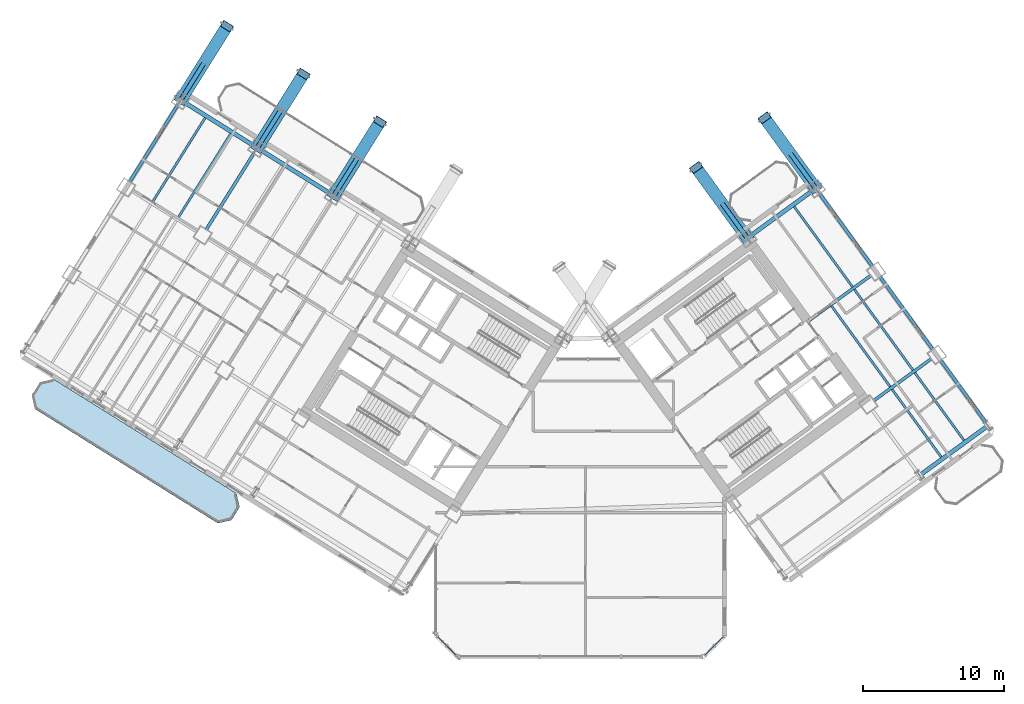
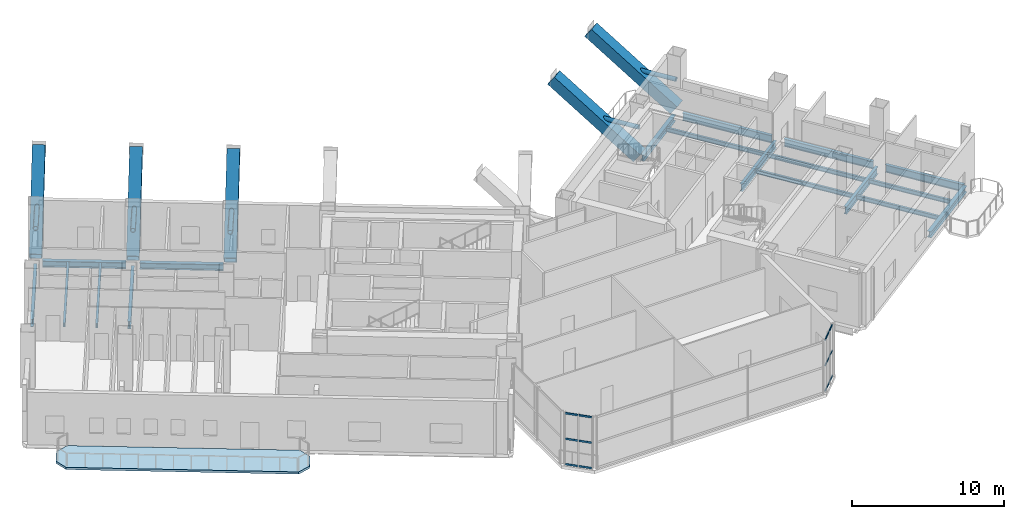
# One storey, part 12 of 30: 22 members, 18 beams, 1 slab, 2 elements without a shape of their own.
"""IFC4 building model written with IfcOpenShell, lengths in metres."""

from ifc_helpers import new_model, si_unit, direction, frame, origin, origin_2d, place, context, subcontext, project, spatial, polyline, hollow_rectangle, hollow_circle, i_section, outline, extrude, source, transform, mapped, material, layer, layer_set, material_profile, profile_set, type_object, element, aggregate, save


model = new_model("IFC4")

# Units and contexts
model_context = context("Model", 3, precision=1e-05, world=origin(), true_north=direction((0.0, 1.0)))
body_context = subcontext(model_context, "Body", "Model", "MODEL_VIEW")
ifc_project = project(units=[si_unit("LENGTHUNIT", "METRE"), si_unit("AREAUNIT", "SQUARE_METRE"), si_unit("VOLUMEUNIT", "CUBIC_METRE"), si_unit("PLANEANGLEUNIT", "RADIAN"), si_unit("MASSUNIT", "GRAM", prefix="KILO")], contexts=[model_context])

# Site, building, storey
site_placement = place(None, origin())
site = spatial("IfcSite", under=ifc_project, at=site_placement, CompositionType="ELEMENT")
building_placement = place(site_placement, origin())
building = spatial("IfcBuilding", under=site, at=building_placement, Name="Tlacorven Tower", CompositionType="ELEMENT")
storey_placement = place(building_placement, frame((0.0, 0.0, 67.199951171875)))
storey = spatial("IfcBuildingStorey", under=building, at=storey_placement, Name="L17", CompositionType="ELEMENT", Elevation=67.199951171875)

# Beams
ifc_material_1 = material(Name="Steel S355J2", Category="steel")
ifc_material_profile_1 = material_profile(ifc_material_1, i_section(OverallWidth=0.300048828125, OverallDepth=0.489990234375, WebThickness=0.011962890625, FlangeThickness=0.02294921875, at=origin_2d()), Name="HEA 500")
ifc_profile_set_1 = profile_set([ifc_material_profile_1], Name="Steel S355J2")
beam_type_1 = type_object("IfcBeamType", Name="BM-SPN-500", PredefinedType="SPANDREL", material=ifc_profile_set_1)
shared_shape_1 = source(origin(), body_context, "Body", "SweptSolid", [
    extrude(i_section(OverallWidth=0.300048828125, OverallDepth=0.489990234375, WebThickness=0.011962890625, FlangeThickness=0.02294921875, at=origin_2d()), origin(), (0.0, 0.0, 1.0), 5.5),
])
for number, where, z_axis, x_axis, name in (
    (1, (24.118896484375, 34.88134765625, -0.494873046875), (-0.848050668838, 0.52991514706, 0.0), (-0.52991514706, -0.848050668838, 0.0), "L17 beam BM-L17-WL1-4"),
    (2, (18.69140625, 38.272705078125, -0.494873046875), (-0.848050668838, 0.52991514706, 0.0), (-0.52991514706, -0.848050668838, 0.0), "L17 beam BM-L17-WL1-5"),
):
    element("IfcBeam", number, at=place(storey_placement, frame(where, z_axis=z_axis, x_axis=x_axis)), inside=storey, type_object=beam_type_1, Name=name, PredefinedType="SPANDREL", context=body_context, shape_type="MappedRepresentation", body=[
        mapped(shared_shape_1, transform((0.0, 0.0, 0.0), scale=1.0)),
    ])
ifc_material_profile_2 = material_profile(ifc_material_1, i_section(OverallWidth=0.219970703125, OverallDepth=0.60009765625, WebThickness=0.011962890625, FlangeThickness=0.01904296875, at=origin_2d()), Name="IPE 600")
ifc_profile_set_2 = profile_set([ifc_material_profile_2], Name="Steel S355J2")
beam_type_2 = type_object("IfcBeamType", Name="BM-TWR-600", PredefinedType="BEAM", material=ifc_profile_set_2)
shared_shape_2 = source(origin(), body_context, "Body", "SweptSolid", [
    extrude(i_section(OverallWidth=0.219970703125, OverallDepth=0.60009765625, WebThickness=0.011962890625, FlangeThickness=0.01904296875, at=origin_2d()), origin(), (0.0, 0.0, 1.0), 5.650146484375),
])
beam_1_placement = place(storey_placement, frame((70.853271484375, 18.41845703125, -0.550048828125), z_axis=(-0.587783675561, 0.809018139935, 0.0), x_axis=(-0.809018139935, -0.587783675561, 0.0)))
element("IfcBeam", 3, at=beam_1_placement, inside=storey, type_object=beam_type_2, Name="L17 beam BM-L17-ET4-1", PredefinedType="BEAM", context=body_context, shape_type="MappedRepresentation", body=[
    mapped(shared_shape_2, transform((0.0, 0.0, 0.0), scale=1.0)),
])
shared_shape_3 = source(origin(), body_context, "Body", "SweptSolid", [
    extrude(i_section(OverallWidth=0.219970703125, OverallDepth=0.60009765625, WebThickness=0.011962890625, FlangeThickness=0.01904296875, at=origin_2d()), origin(), (0.0, 0.0, 1.0), 6.39990234375),
])
for number, where, z_axis, x_axis, name in (
    (4, (67.003173828125, 23.717529296875, -0.550048828125), (-0.587772420479, 0.809026317077, 0.0), (-0.809026317077, -0.587772420479, 0.0), "L17 beam BM-L17-ET4-2"),
    (5, (62.71240234375, 29.62353515625, -0.550048828125), (-0.587815528162, 0.808994996803, 0.0), (-0.808994996803, -0.587815528162, 0.0), "L17 beam BM-L17-ET4-3"),
):
    element("IfcBeam", number, at=place(storey_placement, frame(where, z_axis=z_axis, x_axis=x_axis)), inside=storey, type_object=beam_type_2, Name=name, PredefinedType="BEAM", context=body_context, shape_type="MappedRepresentation", body=[
        mapped(shared_shape_3, transform((0.0, 0.0, 0.0), scale=1.0)),
    ])
shared_shape_4 = source(origin(), body_context, "Body", "SweptSolid", [
    extrude(i_section(OverallWidth=0.219970703125, OverallDepth=0.60009765625, WebThickness=0.011962890625, FlangeThickness=0.01904296875, at=origin_2d()), origin(), (0.0, 0.0, 1.0), 6.400146484375),
])
for number, where, z_axis, x_axis, name in (
    (6, (18.83447265625, 37.652587890625, -0.550048828125), (-0.529933789039, -0.848039019877, 0.0), (0.848039019877, -0.529933789039, 0.0), "L17 beam BM-L17-WT5-1"),
    (7, (13.406982421875, 41.044189453125, -0.550048828125), (-0.529933789039, -0.848039019877, 0.0), (0.848039019877, -0.529933789039, 0.0), "L17 beam BM-L17-WT6-1"),
):
    element("IfcBeam", number, at=place(storey_placement, frame(where, z_axis=z_axis, x_axis=x_axis)), inside=storey, type_object=beam_type_2, Name=name, PredefinedType="BEAM", context=body_context, shape_type="MappedRepresentation", body=[
        mapped(shared_shape_4, transform((0.0, 0.0, 0.0), scale=1.0)),
    ])
ifc_material_profile_3 = material_profile(ifc_material_1, i_section(OverallWidth=0.159912109375, OverallDepth=0.330078125, WebThickness=0.007568359375, FlangeThickness=0.011474609375, at=origin_2d()), Name="IPE 330")
ifc_profile_set_3 = profile_set([ifc_material_profile_3], Name="Steel S355J2")
beam_type_3 = type_object("IfcBeamType", Name="BM-JST-330", PredefinedType="JOIST", material=ifc_profile_set_3)
shared_shape_5 = source(origin(), body_context, "Body", "SweptSolid", [
    extrude(i_section(OverallWidth=0.159912109375, OverallDepth=0.330078125, WebThickness=0.007568359375, FlangeThickness=0.011474609375, at=origin_2d()), origin(), (0.0, 0.0, 1.0), 7.030029296875),
])
for number, where, z_axis, x_axis, name in (
    (8, (17.181640625, 39.033447265625, -0.4150390625), (-0.529911532383, -0.848052927504, 0.0), (0.848052927504, -0.529911532383, 0.0), "L17 beam BM-L17-WJ5-1-1"),
    (9, (15.372314453125, 40.163818359375, -0.4150390625), (-0.529927139185, -0.84804317529, 0.0), (0.84804317529, -0.529927139185, 0.0), "L17 beam BM-L17-WJ5-1-2"),
    (10, (61.291259765625, 28.1767578125, -0.4150390625), (-0.587773097846, 0.809025824958, 0.0), (-0.809025824958, -0.587773097846, 0.0), "L17 beam BM-L17-EJ3-3-2"),
):
    element("IfcBeam", number, at=place(storey_placement, frame(where, z_axis=z_axis, x_axis=x_axis)), inside=storey, type_object=beam_type_3, Name=name, PredefinedType="JOIST", context=body_context, shape_type="MappedRepresentation", body=[
        mapped(shared_shape_5, transform((0.0, 0.0, 0.0), scale=1.0)),
    ])
shared_shape_6 = source(origin(), body_context, "Body", "SweptSolid", [
    extrude(i_section(OverallWidth=0.159912109375, OverallDepth=0.330078125, WebThickness=0.007568359375, FlangeThickness=0.011474609375, at=origin_2d()), origin(), (0.0, 0.0, 1.0), 5.93017578125),
])
for number, where, z_axis, x_axis, name in (
    (11, (67.584716796875, 16.11181640625, -0.4150390625), (-0.587777512947, 0.809022617282, 0.0), (-0.809022617282, -0.587777512947, 0.0), "L17 beam BM-L17-EJ3-1-1"),
    (12, (69.202880859375, 17.287353515625, -0.4150390625), (-0.587777512947, 0.809022617282, 0.0), (-0.809022617282, -0.587777512947, 0.0), "L17 beam BM-L17-EJ3-1-2"),
):
    element("IfcBeam", number, at=place(storey_placement, frame(where, z_axis=z_axis, x_axis=x_axis)), inside=storey, type_object=beam_type_3, Name=name, PredefinedType="JOIST", context=body_context, shape_type="MappedRepresentation", body=[
        mapped(shared_shape_6, transform((0.0, 0.0, 0.0), scale=1.0)),
    ])
shared_shape_7 = source(origin(), body_context, "Body", "SweptSolid", [
    extrude(i_section(OverallWidth=0.159912109375, OverallDepth=0.330078125, WebThickness=0.007568359375, FlangeThickness=0.011474609375, at=origin_2d()), origin(), (0.0, 0.0, 1.0), 7.070068359375),
])
beam_2_placement = place(storey_placement, frame((63.964111328125, 21.095458984375, -0.4150390625), z_axis=(-0.587797946309, 0.80900777148, 0.0), x_axis=(-0.80900777148, -0.587797946309, 0.0)))
element("IfcBeam", 13, at=beam_2_placement, inside=storey, type_object=beam_type_3, Name="L17 beam BM-L17-EJ3-2-1", PredefinedType="JOIST", context=body_context, shape_type="MappedRepresentation", body=[
    mapped(shared_shape_7, transform((0.0, 0.0, 0.0), scale=1.0)),
])
shared_shape_8 = source(origin(), body_context, "Body", "SweptSolid", [
    extrude(i_section(OverallWidth=0.159912109375, OverallDepth=0.330078125, WebThickness=0.007568359375, FlangeThickness=0.011474609375, at=origin_2d()), origin(), (0.0, 0.0, 1.0), 7.06982421875),
])
beam_3_placement = place(storey_placement, frame((65.58203125, 22.27099609375, -0.4150390625), z_axis=(-0.58777534487, 0.809024192446, 0.0), x_axis=(-0.809024192446, -0.58777534487, 0.0)))
element("IfcBeam", 14, at=beam_3_placement, inside=storey, type_object=beam_type_3, Name="L17 beam BM-L17-EJ3-2-2", PredefinedType="JOIST", context=body_context, shape_type="MappedRepresentation", body=[
    mapped(shared_shape_8, transform((0.0, 0.0, 0.0), scale=1.0)),
])
shared_shape_9 = source(origin(), body_context, "Body", "SweptSolid", [
    extrude(i_section(OverallWidth=0.300048828125, OverallDepth=0.489990234375, WebThickness=0.011962890625, FlangeThickness=0.02294921875, at=origin_2d()), origin(), (0.0, 0.0, 1.0), 5.800048828125),
])
beam_4_placement = place(storey_placement, frame((66.138671875, 14.86962890625, -0.494873046875), z_axis=(0.809019944521, 0.587781191743, 0.0), x_axis=(-0.587781191743, 0.809019944521, 0.0)))
element("IfcBeam", 15, at=beam_4_placement, inside=storey, type_object=beam_type_1, Name="L17 beam BM-L17-EL1-3", PredefinedType="SPANDREL", context=body_context, shape_type="MappedRepresentation", body=[
    mapped(shared_shape_9, transform((0.0, 0.0, 0.0), scale=1.0)),
])
shared_shape_10 = source(origin(), body_context, "Body", "SweptSolid", [
    extrude(i_section(OverallWidth=0.219970703125, OverallDepth=0.60009765625, WebThickness=0.011962890625, FlangeThickness=0.01904296875, at=origin_2d()), origin(), (0.0, 0.0, 1.0), 5.10009765625),
])
beam_5_placement = place(storey_placement, frame((62.777587890625, 20.09130859375, -0.550048828125), z_axis=(0.809007176828, 0.58779876475, 0.0), x_axis=(-0.58779876475, 0.809007176828, 0.0)))
element("IfcBeam", 16, at=beam_5_placement, inside=storey, type_object=beam_type_2, Name="L17 beam BM-L17-EL2-3", PredefinedType="BEAM", context=body_context, shape_type="MappedRepresentation", body=[
    mapped(shared_shape_10, transform((0.0, 0.0, 0.0), scale=1.0)),
])
shared_shape_11 = source(origin(), body_context, "Body", "SweptSolid", [
    extrude(i_section(OverallWidth=0.219970703125, OverallDepth=0.60009765625, WebThickness=0.011962890625, FlangeThickness=0.01904296875, at=origin_2d()), origin(), (0.0, 0.0, 1.0), 5.510009765625),
])
beam_6_placement = place(storey_placement, frame((58.155029296875, 25.756103515625, -0.550048828125), z_axis=(0.809015730594, 0.587786991734, 0.0), x_axis=(-0.587786991734, 0.809015730594, 0.0)))
element("IfcBeam", 17, at=beam_6_placement, inside=storey, type_object=beam_type_2, Name="L17 beam BM-L17-EL3-3", PredefinedType="BEAM", context=body_context, shape_type="MappedRepresentation", body=[
    mapped(shared_shape_11, transform((0.0, 0.0, 0.0), scale=1.0)),
])
shared_shape_12 = source(origin(), body_context, "Body", "SweptSolid", [
    extrude(i_section(OverallWidth=0.300048828125, OverallDepth=0.489990234375, WebThickness=0.011962890625, FlangeThickness=0.02294921875, at=origin_2d()), origin(), (0.0, 0.0, 1.0), 5.099853515625),
])
beam_7_placement = place(storey_placement, frame((54.196044921875, 31.903076171875, -0.494873046875), z_axis=(0.809029940764, 0.587767432704, 0.0), x_axis=(-0.587767432704, 0.809029940764, 0.0)))
element("IfcBeam", 18, at=beam_7_placement, inside=storey, type_object=beam_type_1, Name="L17 beam BM-L17-EL4-3", PredefinedType="SPANDREL", context=body_context, shape_type="MappedRepresentation", body=[
    mapped(shared_shape_12, transform((0.0, 0.0, 0.0), scale=1.0)),
])

# Members
ifc_material_2 = material(Name="Steel S460M", Category="steel")
ifc_material_profile_4 = material_profile(ifc_material_2, hollow_rectangle(XDim=0.85009765625, YDim=0.85009765625, WallThickness=0.0400390625, at=origin_2d()), Name="BOX 850X850X40")
ifc_profile_set_4 = profile_set([ifc_material_profile_4], Name="Steel S460M")
member_type_1 = type_object("IfcMemberType", Name="MB-RAK-EXT", PredefinedType="STRUT", material=ifc_profile_set_4)
shared_shape_13 = source(origin(), body_context, "Body", "SweptSolid", [
    extrude(hollow_rectangle(XDim=0.85009765625, YDim=0.85009765625, WallThickness=0.0400390625, at=origin_2d()), origin(), (0.0, 0.0, 1.0), 7.62109375),
])
for number, where, z_axis, x_axis, name in (
    (19, (24.509033203125, 34.656494140625, 0.01171875), (0.428857238409, 0.686325351137, 0.587400188501), (-0.848051671646, 0.529913542211, 0.0), "L17 Block-Shift Raking Transfer Strut W4"),
    (20, (19.08154296875, 38.048095703125, 0.01171875), (0.428857238409, 0.686325351137, 0.587400188501), (-0.848051671646, 0.529913542211, 0.0), "L17 Block-Shift Raking Transfer Strut W5"),
    (21, (13.654052734375, 41.439453125, 0.01171875), (0.428857238409, 0.686325351137, 0.587400188501), (-0.848051671646, 0.529913542211, 0.0), "L17 Block-Shift Raking Transfer Strut W6"),
    (22, (53.822509765625, 31.651611328125, 0.01171875), (-0.475691676108, 0.654736782025, 0.587398651297), (-0.809018428472, -0.587783278422, 0.0), "L17 Block-Shift Raking Transfer Strut E3"),
    (23, (58.676513671875, 35.17822265625, 0.01171875), (-0.475691676108, 0.654736782025, 0.587398651297), (-0.809018428472, -0.587783278422, 0.0), "L17 Block-Shift Raking Transfer Strut E4"),
):
    element("IfcMember", number, at=place(storey_placement, frame(where, z_axis=z_axis, x_axis=x_axis)), inside=storey, type_object=member_type_1, Name=name, PredefinedType="STRUT", context=body_context, shape_type="MappedRepresentation", body=[
        mapped(shared_shape_13, transform((0.0, 0.0, 0.0), scale=1.0)),
    ])
ifc_material_profile_5 = material_profile(ifc_material_2, hollow_circle(Radius=0.161865234375, WallThickness=0.01611328125, at=origin_2d()), Name="CHS 323.9X16")
ifc_profile_set_5 = profile_set([ifc_material_profile_5], Name="Steel S460M")
member_type_2 = type_object("IfcMemberType", Name="MB-SHF-BRC", PredefinedType="BRACE", material=ifc_profile_set_5)
shared_shape_14 = source(origin(), body_context, "Body", "SweptSolid", [
    extrude(hollow_circle(Radius=0.161865234375, WallThickness=0.01611328125, at=origin_2d()), origin(), (0.0, 0.0, 1.0), 3.06005859375),
])
for number, where, z_axis, x_axis, name in (
    (24, (24.510986328125, 34.659912109375, 2.25), (0.529934393004, 0.848038642463, 0.0), (-0.848038642463, 0.529934393004, 0.0), "L17 Raking Strut Stabilising Web Brace W4"),
    (25, (19.08349609375, 38.05126953125, 2.25), (0.529934393004, 0.848038642463, 0.0), (-0.848038642463, 0.529934393004, 0.0), "L17 Raking Strut Stabilising Web Brace W5"),
    (26, (13.656005859375, 41.44287109375, 2.25), (0.529934393004, 0.848038642463, 0.0), (-0.848038642463, 0.529934393004, 0.0), "L17 Raking Strut Stabilising Web Brace W6"),
    (27, (58.67431640625, 35.181396484375, 2.25), (-0.587777877013, 0.809022352778, 0.0), (-0.809022352778, -0.587777877013, 0.0), "L17 Raking Strut Stabilising Web Brace E4"),
):
    element("IfcMember", number, at=place(storey_placement, frame(where, z_axis=z_axis, x_axis=x_axis)), inside=storey, type_object=member_type_2, Name=name, PredefinedType="BRACE", context=body_context, shape_type="MappedRepresentation", body=[
        mapped(shared_shape_14, transform((0.0, 0.0, 0.0), scale=1.0)),
    ])
shared_shape_15 = source(origin(), body_context, "Body", "SweptSolid", [
    extrude(hollow_circle(Radius=0.161865234375, WallThickness=0.01611328125, at=origin_2d()), origin(), (0.0, 0.0, 1.0), 3.060302734375),
])
member_1_placement = place(storey_placement, frame((53.8203125, 31.654541015625, 2.25), z_axis=(-0.587792156228, 0.809011978327, 0.0), x_axis=(-0.809011978327, -0.587792156228, 0.0)))
element("IfcMember", 28, at=member_1_placement, inside=storey, type_object=member_type_2, Name="L17 Raking Strut Stabilising Web Brace E3", PredefinedType="BRACE", context=body_context, shape_type="MappedRepresentation", body=[
    mapped(shared_shape_15, transform((0.0, 0.0, 0.0), scale=1.0)),
])

# Curtain wall, members
ifc_material_3 = material(Name="Dark solar low-E double glazing in aluminium frame", Category="aluminium")
curtain_wall_type = type_object("IfcCurtainWallType", Name="CW-TWR-LOW", PredefinedType="USERDEFINED", material=ifc_material_3)
curtain_wall_1_placement = place(storey_placement, origin())
curtain_wall_1 = element("IfcCurtainWall", 29, at=curtain_wall_1_placement, inside=storey, type_object=curtain_wall_type, Name="L17 CW-TWR-LOW Curtain Wall 93", ObjectType="UNITISED CURTAIN WALL", PredefinedType="USERDEFINED")
ifc_material_4 = material(Name="Aluminium 6063-T6 anodised", Category="aluminium")
ifc_material_profile_6 = material_profile(ifc_material_4, hollow_rectangle(XDim=0.06005859375, YDim=0.139892578125, WallThickness=0.00390625, at=origin_2d()), Name="ALU TRANSOM 60X140")
ifc_profile_set_6 = profile_set([ifc_material_profile_6], Name="Aluminium 6063-T6 anodised")
member_type_3 = type_object("IfcMemberType", Name="CWT-02", PredefinedType="USERDEFINED", material=ifc_profile_set_6)
shared_shape_16 = source(origin(), body_context, "Body", "SweptSolid", [
    extrude(hollow_rectangle(XDim=0.06005859375, YDim=0.139892578125, WallThickness=0.00390625, at=origin_2d()), origin(), (0.0, 0.0, 1.0), 0.8837890625),
])
member_2_placement = place(storey_placement, frame((52.128173828125, 3.3544921875, 0.070068359375), z_axis=(-0.707106781187, -0.707106781187, 0.0), x_axis=(0.707106781187, -0.707106781187, 0.0)))
member_2 = element("IfcMember", 30, at=member_2_placement, type_object=member_type_3, Name="CW-L17-093 Transom 1", ObjectType="TRANSOM", PredefinedType="USERDEFINED", context=body_context, shape_type="MappedRepresentation", body=[
    mapped(shared_shape_16, transform((0.0, 0.0, 0.0), scale=1.0)),
])
member_3_placement = place(storey_placement, frame((52.128173828125, 3.3544921875, 2.110107421875), z_axis=(-0.707106781187, -0.707106781187, 0.0), x_axis=(0.707106781187, -0.707106781187, 0.0)))
member_3 = element("IfcMember", 31, at=member_3_placement, type_object=member_type_3, Name="CW-L17-093 Transom 2", ObjectType="TRANSOM", PredefinedType="USERDEFINED", context=body_context, shape_type="MappedRepresentation", body=[
    mapped(shared_shape_16, transform((0.0, 0.0, 0.0), scale=1.0)),
])
member_4_placement = place(storey_placement, frame((52.128173828125, 3.3544921875, 4.150146484375), z_axis=(-0.707106781187, -0.707106781187, 0.0), x_axis=(0.707106781187, -0.707106781187, 0.0)))
member_4 = element("IfcMember", 32, at=member_4_placement, type_object=member_type_3, Name="CW-L17-093 Transom 3", ObjectType="TRANSOM", PredefinedType="USERDEFINED", context=body_context, shape_type="MappedRepresentation", body=[
    mapped(shared_shape_16, transform((0.0, 0.0, 0.0), scale=1.0)),
])

curtain_wall_2_placement = place(storey_placement, origin())
curtain_wall_2 = element("IfcCurtainWall", 33, at=curtain_wall_2_placement, inside=storey, type_object=curtain_wall_type, Name="L17 CW-TWR-LOW Curtain Wall 95", ObjectType="UNITISED CURTAIN WALL", PredefinedType="USERDEFINED")
member_5_placement = place(storey_placement, frame((32.496826171875, 2.7294921875, 0.070068359375), z_axis=(-0.707106781187, 0.707106781187, 0.0), x_axis=(-0.707106781187, -0.707106781187, 0.0)))
member_5 = element("IfcMember", 34, at=member_5_placement, type_object=member_type_3, Name="CW-L17-095 Transom 4", ObjectType="TRANSOM", PredefinedType="USERDEFINED", context=body_context, shape_type="MappedRepresentation", body=[
    mapped(shared_shape_16, transform((0.0, 0.0, 0.0), scale=1.0)),
])
member_6_placement = place(storey_placement, frame((32.496826171875, 2.7294921875, 2.110107421875), z_axis=(-0.707106781187, 0.707106781187, 0.0), x_axis=(-0.707106781187, -0.707106781187, 0.0)))
member_6 = element("IfcMember", 35, at=member_6_placement, type_object=member_type_3, Name="CW-L17-095 Transom 5", ObjectType="TRANSOM", PredefinedType="USERDEFINED", context=body_context, shape_type="MappedRepresentation", body=[
    mapped(shared_shape_16, transform((0.0, 0.0, 0.0), scale=1.0)),
])
member_7_placement = place(storey_placement, frame((32.496826171875, 2.7294921875, 4.150146484375), z_axis=(-0.707106781187, 0.707106781187, 0.0), x_axis=(-0.707106781187, -0.707106781187, 0.0)))
member_7 = element("IfcMember", 36, at=member_7_placement, type_object=member_type_3, Name="CW-L17-095 Transom 6", ObjectType="TRANSOM", PredefinedType="USERDEFINED", context=body_context, shape_type="MappedRepresentation", body=[
    mapped(shared_shape_16, transform((0.0, 0.0, 0.0), scale=1.0)),
])

# Member
shared_shape_17 = source(origin(), body_context, "Body", "SweptSolid", [
    extrude(hollow_rectangle(XDim=0.06005859375, YDim=0.139892578125, WallThickness=0.00390625, at=origin_2d()), origin(), (0.0, 0.0, 1.0), 0.884033203125),
])
member_8_placement = place(storey_placement, frame((51.470703125, 2.69677734375, 0.070068359375), z_axis=(-0.707244847527, -0.706968687883, 0.0), x_axis=(0.706968687883, -0.707244847527, 0.0)))
member_8 = element("IfcMember", 37, at=member_8_placement, type_object=member_type_3, Name="CW-L17-093 Transom 4", ObjectType="TRANSOM", PredefinedType="USERDEFINED", context=body_context, shape_type="MappedRepresentation", body=[
    mapped(shared_shape_17, transform((0.0, 0.0, 0.0), scale=1.0)),
])

member_9_placement = place(storey_placement, frame((51.470703125, 2.69677734375, 2.110107421875), z_axis=(-0.707244847527, -0.706968687883, 0.0), x_axis=(0.706968687883, -0.707244847527, 0.0)))
member_9 = element("IfcMember", 38, at=member_9_placement, type_object=member_type_3, Name="CW-L17-093 Transom 5", ObjectType="TRANSOM", PredefinedType="USERDEFINED", context=body_context, shape_type="MappedRepresentation", body=[
    mapped(shared_shape_17, transform((0.0, 0.0, 0.0), scale=1.0)),
])

member_10_placement = place(storey_placement, frame((51.470703125, 2.69677734375, 4.150146484375), z_axis=(-0.707244847527, -0.706968687883, 0.0), x_axis=(0.706968687883, -0.707244847527, 0.0)))
member_10 = element("IfcMember", 39, at=member_10_placement, type_object=member_type_3, Name="CW-L17-093 Transom 6", ObjectType="TRANSOM", PredefinedType="USERDEFINED", context=body_context, shape_type="MappedRepresentation", body=[
    mapped(shared_shape_17, transform((0.0, 0.0, 0.0), scale=1.0)),
])

aggregate(curtain_wall_1, [member_2, member_3, member_4, member_8, member_9, member_10])

member_11_placement = place(storey_placement, frame((33.154541015625, 2.07177734375, 0.070068359375), z_axis=(-0.707244847527, 0.706968687883, 0.0), x_axis=(-0.706968687883, -0.707244847527, 0.0)))
member_11 = element("IfcMember", 40, at=member_11_placement, type_object=member_type_3, Name="CW-L17-095 Transom 1", ObjectType="TRANSOM", PredefinedType="USERDEFINED", context=body_context, shape_type="MappedRepresentation", body=[
    mapped(shared_shape_17, transform((0.0, 0.0, 0.0), scale=1.0)),
])

member_12_placement = place(storey_placement, frame((33.154541015625, 2.07177734375, 2.110107421875), z_axis=(-0.707244847527, 0.706968687883, 0.0), x_axis=(-0.706968687883, -0.707244847527, 0.0)))
member_12 = element("IfcMember", 41, at=member_12_placement, type_object=member_type_3, Name="CW-L17-095 Transom 2", ObjectType="TRANSOM", PredefinedType="USERDEFINED", context=body_context, shape_type="MappedRepresentation", body=[
    mapped(shared_shape_17, transform((0.0, 0.0, 0.0), scale=1.0)),
])

member_13_placement = place(storey_placement, frame((33.154541015625, 2.07177734375, 4.150146484375), z_axis=(-0.707244847527, 0.706968687883, 0.0), x_axis=(-0.706968687883, -0.707244847527, 0.0)))
member_13 = element("IfcMember", 42, at=member_13_placement, type_object=member_type_3, Name="CW-L17-095 Transom 3", ObjectType="TRANSOM", PredefinedType="USERDEFINED", context=body_context, shape_type="MappedRepresentation", body=[
    mapped(shared_shape_17, transform((0.0, 0.0, 0.0), scale=1.0)),
])

aggregate(curtain_wall_2, [member_11, member_12, member_13, member_5, member_6, member_7])

# Slab
ifc_material_5 = material(Name="Precast concrete C45/55", Category="concrete")
ifc_layer = layer(ifc_material_5, 0.179931640625)
ifc_layer_set = layer_set([ifc_layer], Name="Precast concrete C45/55")
slab_type = type_object("IfcSlabType", Name="SL-BAL-180", PredefinedType="USERDEFINED", material=ifc_layer_set)
slab_placement = place(storey_placement, frame((0.0, 0.0, -0.179931640625)))
element("IfcSlab", 43, at=slab_placement, inside=storey, type_object=slab_type, Name="L17 West Wing Balcony Ribbon OUT", ObjectType="BALCONY SLAB", PredefinedType="USERDEFINED", context=body_context, shape_type="SweptSolid", body=[
    extrude(outline(polyline([(17.601318359375, 13.52490234375), (4.626220703125, 21.632568359375), (3.66162109375, 21.409912109375), (3.081298828125, 20.4814453125), (3.303955078125, 19.516845703125), (16.279052734375, 11.408935546875), (17.24365234375, 11.6318359375), (17.823974609375, 12.560302734375), (17.601318359375, 13.52490234375)])), origin(), (0.0, 0.0, 1.0), 0.179931640625),
])

save(model, "model.ifc")
